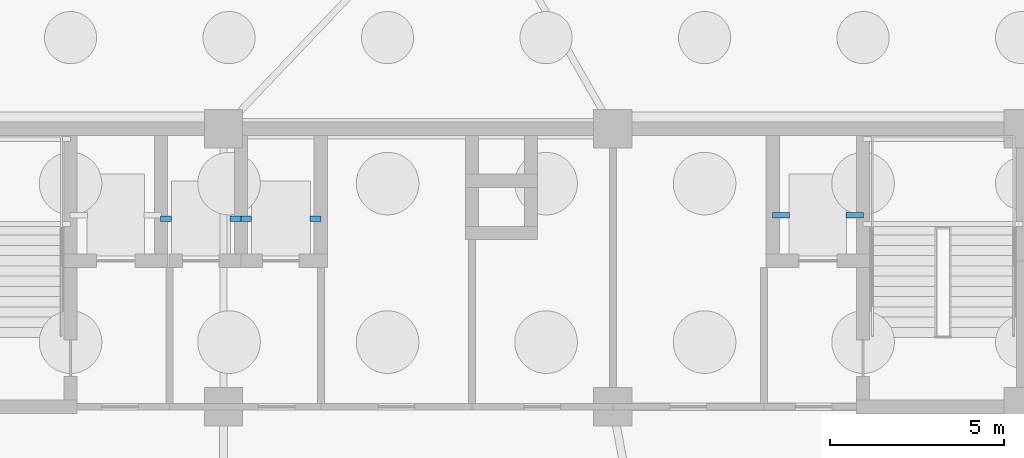
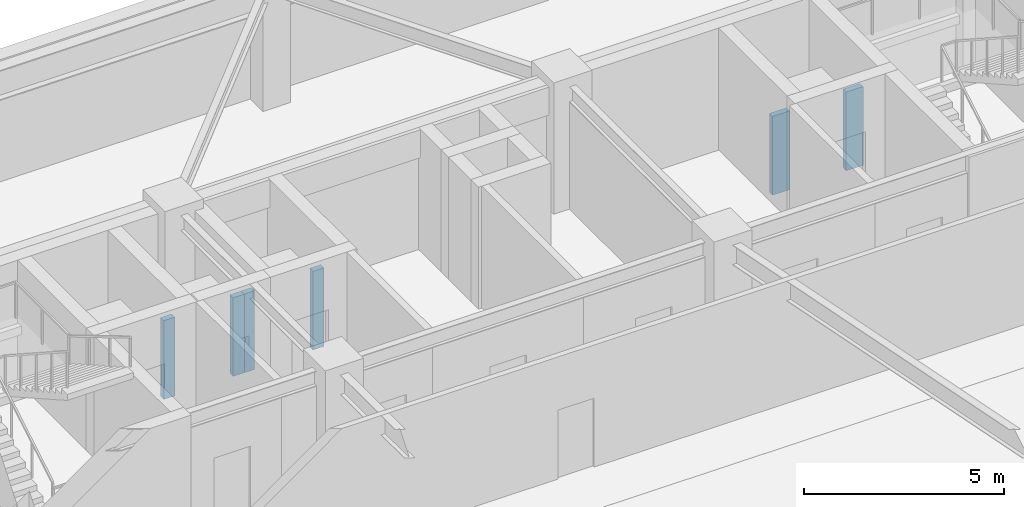
# One storey, part 7 of 10: 6 discrete accessories.
"""IFC4 building model written with IfcOpenShell, lengths in metres."""

from ifc_helpers import new_model, si_unit, direction, frame, origin, origin_2d, place, context, subcontext, project, spatial, rectangle, extrude, source, transform, mapped, material, type_object, element, save


model = new_model("IFC4")

# Units and contexts
model_context = context("Model", 3, precision=1e-05, world=origin(), true_north=direction((0.0, 1.0)))
body_context = subcontext(model_context, "Body", "Model", "MODEL_VIEW")
ifc_project = project(units=[si_unit("LENGTHUNIT", "METRE"), si_unit("AREAUNIT", "SQUARE_METRE"), si_unit("VOLUMEUNIT", "CUBIC_METRE"), si_unit("PLANEANGLEUNIT", "RADIAN"), si_unit("MASSUNIT", "GRAM", prefix="KILO")], contexts=[model_context])

# Site, building, storey
site_placement = place(None, origin())
site = spatial("IfcSite", under=ifc_project, at=site_placement, CompositionType="ELEMENT")
building_placement = place(site_placement, origin())
building = spatial("IfcBuilding", under=site, at=building_placement, Name="Taldren Reach Tower", CompositionType="ELEMENT")
storey_placement = place(building_placement, frame((0.0, 0.0, -8.0)))
storey = spatial("IfcBuildingStorey", under=building, at=storey_placement, Name="B2", CompositionType="ELEMENT", Elevation=-8.0)

# Discrete accessories
ifc_material = material(Name="Steel Gr 350 (350PLUS)", Category="steel")
discrete_accessory_type = type_object("IfcDiscreteAccessoryType", Name="ACC-GUIDE-RAIL", PredefinedType="USERDEFINED", material=ifc_material)
shared_shape_1 = source(origin(), body_context, "Body", "SweptSolid", [
    extrude(rectangle(XDim=0.4951171875, YDim=0.159912109375, at=origin_2d()), origin(), (0.0, 0.0, 1.0), 2.39990234375),
])
for number, where, z_axis, x_axis, name in (
    (1, (44.03759765625, 29.514892578125, 0.0), (0.0, 0.0, 1.0), (1.0, 0.0, 0.0), "Lift car guide-rail assembly FL2-L"),
    (2, (46.16259765625, 29.514892578125, 0.0), (0.0, 0.0, 1.0), (1.0, 0.0, 0.0), "Lift car guide-rail assembly FL2-R"),
):
    element("IfcDiscreteAccessory", number, at=place(storey_placement, frame(where, z_axis=z_axis, x_axis=x_axis)), inside=storey, type_object=discrete_accessory_type, Name=name, ObjectType="GUIDE RAIL", PredefinedType="USERDEFINED", context=body_context, shape_type="MappedRepresentation", body=[
        mapped(shared_shape_1, transform((0.0, 0.0, 0.0), scale=1.0)),
    ])
shared_shape_2 = source(origin(), body_context, "Body", "SweptSolid", [
    extrude(rectangle(XDim=0.320068359375, YDim=0.159912109375, at=origin_2d()), origin(), (0.0, 0.0, 1.0), 2.39990234375),
])
for number, where, z_axis, x_axis, name in (
    (3, (26.35009765625, 29.4150390625, 0.0), (0.0, 0.0, 1.0), (1.0, 0.0, 0.0), "Lift car guide-rail assembly PL1-L"),
    (4, (28.35009765625, 29.4150390625, 0.0), (0.0, 0.0, 1.0), (1.0, 0.0, 0.0), "Lift car guide-rail assembly PL1-R"),
    (5, (28.64990234375, 29.4150390625, 0.0), (0.0, 0.0, 1.0), (1.0, 0.0, 0.0), "Lift car guide-rail assembly PL2-L"),
    (6, (30.64990234375, 29.4150390625, 0.0), (0.0, 0.0, 1.0), (1.0, 0.0, 0.0), "Lift car guide-rail assembly PL2-R"),
):
    element("IfcDiscreteAccessory", number, at=place(storey_placement, frame(where, z_axis=z_axis, x_axis=x_axis)), inside=storey, type_object=discrete_accessory_type, Name=name, ObjectType="GUIDE RAIL", PredefinedType="USERDEFINED", context=body_context, shape_type="MappedRepresentation", body=[
        mapped(shared_shape_2, transform((0.0, 0.0, 0.0), scale=1.0)),
    ])

save(model, "model.ifc")
